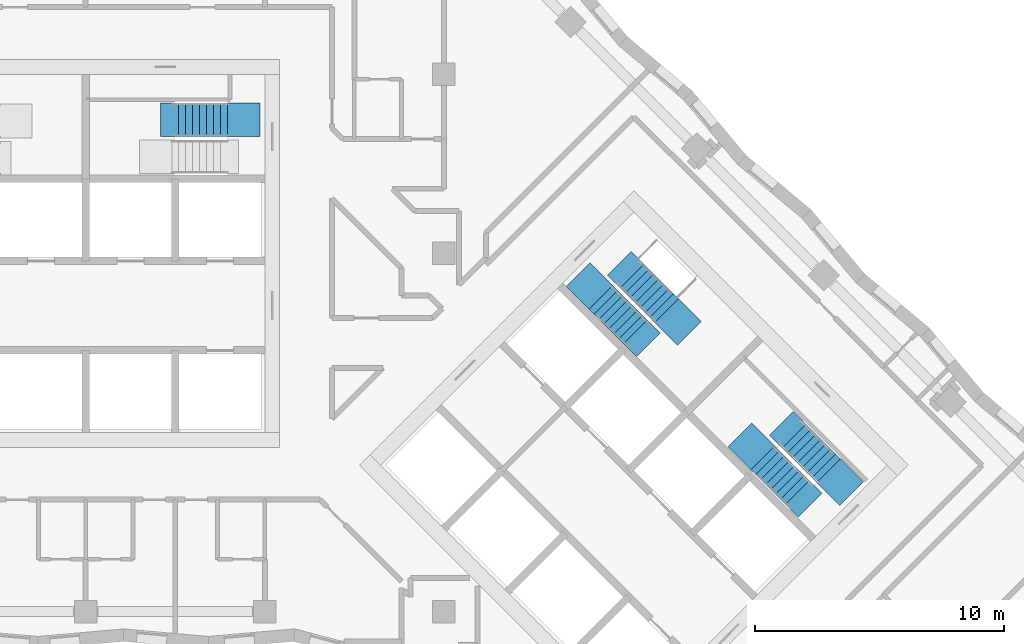
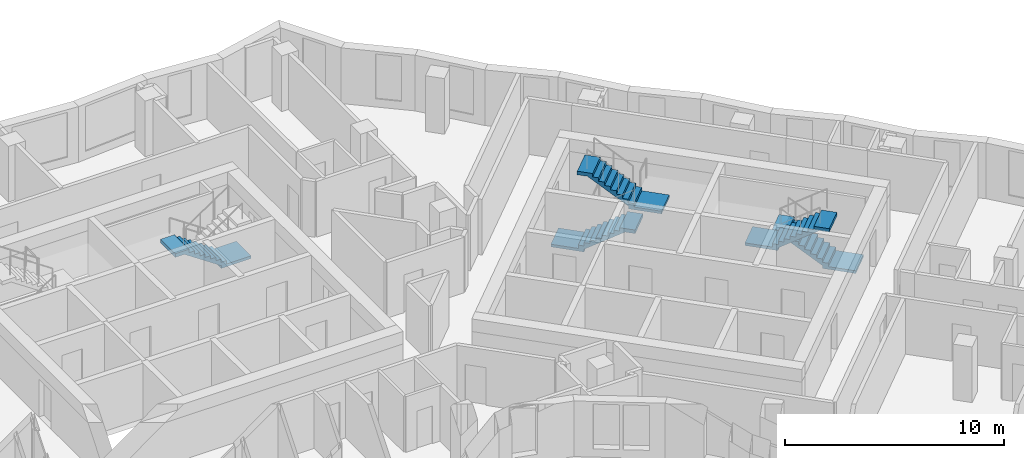
# One storey, part 10 of 12: 5 stair flights, 3 elements without a shape of their own.
"""IFC4 building model written with IfcOpenShell, lengths in metres."""

from ifc_helpers import new_model, si_unit, direction, frame, origin, place, context, subcontext, project, spatial, polyline, outline, extrude, material, type_object, element, aggregate, save


model = new_model("IFC4")

# Units and contexts
model_context = context("Model", 3, precision=1e-05, world=origin(), true_north=direction((0.0, 1.0)))
body_context = subcontext(model_context, "Body", "Model", "MODEL_VIEW")
ifc_project = project(units=[si_unit("LENGTHUNIT", "METRE"), si_unit("AREAUNIT", "SQUARE_METRE"), si_unit("VOLUMEUNIT", "CUBIC_METRE"), si_unit("PLANEANGLEUNIT", "RADIAN"), si_unit("MASSUNIT", "GRAM", prefix="KILO")], contexts=[model_context])

# Site, building, storey
site_placement = place(None, origin())
site = spatial("IfcSite", under=ifc_project, at=site_placement, CompositionType="ELEMENT")
building_placement = place(site_placement, origin())
building = spatial("IfcBuilding", under=site, at=building_placement, Name="Windrow Commons", CompositionType="ELEMENT")
storey_placement = place(building_placement, frame((0.0, 0.0, 135.4)))
storey = spatial("IfcBuildingStorey", under=building, at=storey_placement, Name="L36", CompositionType="ELEMENT", Elevation=135.4)

# Stair, stair flight
ifc_material_1 = material(Name="Concrete C40/50", Category="concrete")
stair_type = type_object("IfcStairType", Name="Core stair", PredefinedType="HALF_TURN_STAIR", material=ifc_material_1)
placement = place(storey_placement, origin())
stair_1 = element("IfcStair", 1, at=placement, inside=storey, type_object=stair_type, Name="L36 Exit stair A2 core A", PredefinedType="HALF_TURN_STAIR")
ifc_material_2 = material(Name="Concrete C40/50", Category="concrete")
stair_flight_type = type_object("IfcStairFlightType", Name="Core stair flight", PredefinedType="STRAIGHT", material=ifc_material_2)
stair_flight_1_placement = place(storey_placement, frame((70.5, 62.98, 0.0), z_axis=(0.0, 0.0, 1.0), x_axis=(-1.0, 0.0, 0.0)))
stair_flight_1 = element("IfcStairFlight", 2, at=stair_flight_1_placement, type_object=stair_flight_type, Name="ST-A2 flight 1", NumberOfRisers=9, NumberOfTreads=8, PredefinedType="STRAIGHT", RiserHeight=0.188888889, TreadLength=0.28, context=body_context, shape_type="SweptSolid", body=[
    extrude(outline(polyline([(-1.3, -0.15), (-1.3, 0.0), (0.0, 0.0), (0.0, 0.1889), (0.28, 0.1889), (0.28, 0.3778), (0.56, 0.3778), (0.56, 0.5667), (0.84, 0.5667), (0.84, 0.7556), (1.12, 0.7556), (1.12, 0.9444), (1.4, 0.9444), (1.4, 1.1333), (1.68, 1.1333), (1.68, 1.3222), (1.96, 1.3222), (1.96, 1.5111), (2.24, 1.5111), (2.69, 1.5111), (2.69, 1.3111), (2.24, 1.3111), (2.24, 1.3302), (0.2682, 0.0), (0.2682, -0.15), (-1.3, -0.15)])), frame((0.0, 0.675, 0.0), z_axis=(0.0, -1.0, 0.0), x_axis=(1.0, 0.0, 0.0)), (0.0, 0.0, 1.0), 1.35),
])
aggregate(stair_1, [stair_flight_1])

# Stair, stair flights
stair_2 = element("IfcStair", 3, at=placement, inside=storey, type_object=stair_type, Name="L36 Exit stair B1 core B", PredefinedType="HALF_TURN_STAIR")
stair_flight_2_placement = place(storey_placement, frame((85.5109, 55.8249, 0.0), z_axis=(0.0, 0.0, 1.0), x_axis=(0.7071067812, -0.7071067812, 0.0)))
stair_flight_2 = element("IfcStairFlight", 4, at=stair_flight_2_placement, type_object=stair_flight_type, Name="ST-B1 flight 1", NumberOfRisers=9, NumberOfTreads=8, PredefinedType="STRAIGHT", RiserHeight=0.188888889, TreadLength=0.28, context=body_context, shape_type="SweptSolid", body=[
    extrude(outline(polyline([(-1.3, -0.15), (-1.3, 0.0), (0.0, 0.0), (0.0, 0.1889), (0.28, 0.1889), (0.28, 0.3778), (0.56, 0.3778), (0.56, 0.5667), (0.84, 0.5667), (0.84, 0.7556), (1.12, 0.7556), (1.12, 0.9444), (1.4, 0.9444), (1.4, 1.1333), (1.68, 1.1333), (1.68, 1.3222), (1.96, 1.3222), (1.96, 1.5111), (2.24, 1.5111), (2.69, 1.5111), (2.69, 1.3111), (2.24, 1.3111), (2.24, 1.3302), (0.2682, 0.0), (0.2682, -0.15), (-1.3, -0.15)])), frame((0.0, 0.675, 0.0), z_axis=(0.0, -1.0, 0.0), x_axis=(1.0, 0.0, 0.0)), (0.0, 0.0, 1.0), 1.35),
])
stair_flight_3_placement = place(storey_placement, frame((88.1555, 55.3017, 1.7), z_axis=(0.0, 0.0, 1.0), x_axis=(-0.7071067812, 0.7071067812, 0.0)))
stair_flight_3 = element("IfcStairFlight", 5, at=stair_flight_3_placement, type_object=stair_flight_type, Name="ST-B1 flight 2", NumberOfRisers=9, NumberOfTreads=8, PredefinedType="STRAIGHT", RiserHeight=0.188888889, TreadLength=0.28, context=body_context, shape_type="SweptSolid", body=[
    extrude(outline(polyline([(-1.3, -0.15), (-1.3, 0.0), (0.0, 0.0), (0.0, 0.1889), (0.28, 0.1889), (0.28, 0.3778), (0.56, 0.3778), (0.56, 0.5667), (0.84, 0.5667), (0.84, 0.7556), (1.12, 0.7556), (1.12, 0.9444), (1.4, 0.9444), (1.4, 1.1333), (1.68, 1.1333), (1.68, 1.3222), (1.96, 1.3222), (1.96, 1.5111), (2.24, 1.5111), (2.69, 1.5111), (2.69, 1.3111), (2.24, 1.3111), (2.24, 1.3302), (0.2682, 0.0), (0.2682, -0.15), (-1.3, -0.15)])), frame((0.0, 0.675, 0.0), z_axis=(0.0, -1.0, 0.0), x_axis=(1.0, 0.0, 0.0)), (0.0, 0.0, 1.0), 1.35),
])
aggregate(stair_2, [stair_flight_2, stair_flight_3])

stair_3 = element("IfcStair", 6, at=placement, inside=storey, type_object=stair_type, Name="L36 Exit stair B2 core B", PredefinedType="HALF_TURN_STAIR")
stair_flight_4_placement = place(storey_placement, frame((94.6715, 48.8635, 0.0), z_axis=(0.0, 0.0, 1.0), x_axis=(-0.7071067812, 0.7071067812, 0.0)))
stair_flight_4 = element("IfcStairFlight", 7, at=stair_flight_4_placement, type_object=stair_flight_type, Name="ST-B2 flight 1", NumberOfRisers=9, NumberOfTreads=8, PredefinedType="STRAIGHT", RiserHeight=0.188888889, TreadLength=0.28, context=body_context, shape_type="SweptSolid", body=[
    extrude(outline(polyline([(-1.3, -0.15), (-1.3, 0.0), (0.0, 0.0), (0.0, 0.1889), (0.28, 0.1889), (0.28, 0.3778), (0.56, 0.3778), (0.56, 0.5667), (0.84, 0.5667), (0.84, 0.7556), (1.12, 0.7556), (1.12, 0.9444), (1.4, 0.9444), (1.4, 1.1333), (1.68, 1.1333), (1.68, 1.3222), (1.96, 1.3222), (1.96, 1.5111), (2.24, 1.5111), (2.69, 1.5111), (2.69, 1.3111), (2.24, 1.3111), (2.24, 1.3302), (0.2682, 0.0), (0.2682, -0.15), (-1.3, -0.15)])), frame((0.0, 0.675, 0.0), z_axis=(0.0, -1.0, 0.0), x_axis=(1.0, 0.0, 0.0)), (0.0, 0.0, 1.0), 1.35),
])
stair_flight_5_placement = place(storey_placement, frame((92.0269, 49.3867, 1.7), z_axis=(0.0, 0.0, 1.0), x_axis=(0.7071067812, -0.7071067812, 0.0)))
stair_flight_5 = element("IfcStairFlight", 8, at=stair_flight_5_placement, type_object=stair_flight_type, Name="ST-B2 flight 2", NumberOfRisers=9, NumberOfTreads=8, PredefinedType="STRAIGHT", RiserHeight=0.188888889, TreadLength=0.28, context=body_context, shape_type="SweptSolid", body=[
    extrude(outline(polyline([(-1.3, -0.15), (-1.3, 0.0), (0.0, 0.0), (0.0, 0.1889), (0.28, 0.1889), (0.28, 0.3778), (0.56, 0.3778), (0.56, 0.5667), (0.84, 0.5667), (0.84, 0.7556), (1.12, 0.7556), (1.12, 0.9444), (1.4, 0.9444), (1.4, 1.1333), (1.68, 1.1333), (1.68, 1.3222), (1.96, 1.3222), (1.96, 1.5111), (2.24, 1.5111), (2.69, 1.5111), (2.69, 1.3111), (2.24, 1.3111), (2.24, 1.3302), (0.2682, 0.0), (0.2682, -0.15), (-1.3, -0.15)])), frame((0.0, 0.675, 0.0), z_axis=(0.0, -1.0, 0.0), x_axis=(1.0, 0.0, 0.0)), (0.0, 0.0, 1.0), 1.35),
])
aggregate(stair_3, [stair_flight_4, stair_flight_5])

save(model, "model.ifc")
